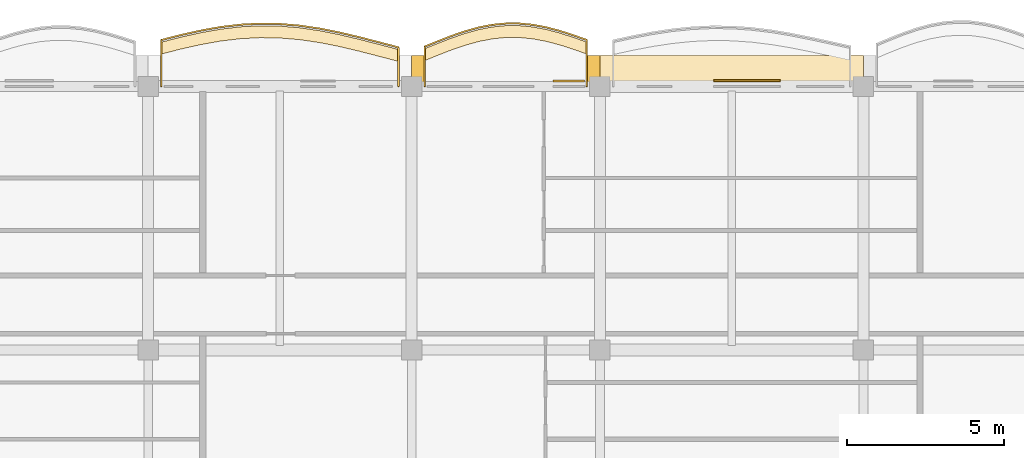
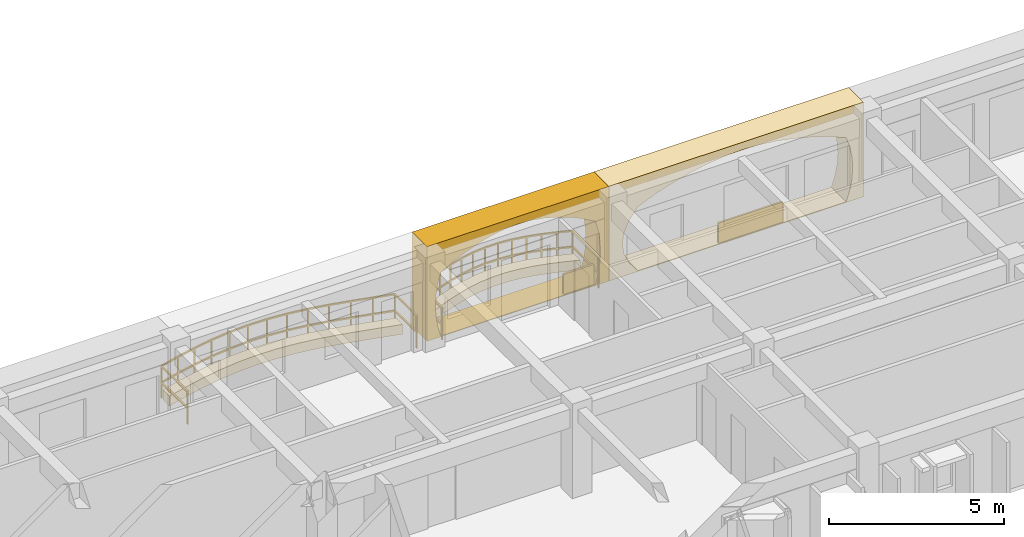
# One storey, part 63 of 76: 6 coverings, 2 railings.
"""IFC4 building model written with IfcOpenShell, lengths in metres."""

from ifc_helpers import new_model, si_unit, direction, frame, origin, origin_2d, place, context, subcontext, project, spatial, polyline, rectangle, outline, extrude, material, layer, layer_set, type_object, element, save


model = new_model("IFC4")

# Units and contexts
model_context = context("Model", 3, precision=1e-05, world=origin(), true_north=direction((0.0, 1.0)))
body_context = subcontext(model_context, "Body", "Model", "MODEL_VIEW")
ifc_project = project(units=[si_unit("LENGTHUNIT", "METRE"), si_unit("AREAUNIT", "SQUARE_METRE"), si_unit("VOLUMEUNIT", "CUBIC_METRE"), si_unit("PLANEANGLEUNIT", "RADIAN"), si_unit("MASSUNIT", "GRAM", prefix="KILO"), si_unit("THERMODYNAMICTEMPERATUREUNIT", "KELVIN")], contexts=[model_context])

# Site, building, storey
site_placement = place(None, origin())
site = spatial("IfcSite", under=ifc_project, at=site_placement, CompositionType="ELEMENT")
building_placement = place(site_placement, origin())
building = spatial("IfcBuilding", under=site, at=building_placement, Name="Thalorik Housing Commons", CompositionType="ELEMENT")
storey_placement = place(building_placement, frame((0.0, 0.0, 18.0)))
storey = spatial("IfcBuildingStorey", under=building, at=storey_placement, Name="L05", CompositionType="ELEMENT", Elevation=18.0)

# Coverings
ifc_material_1 = material(Name="Cobalt blue glazed ceramic facade tile panel", Category="masonry")
ifc_layer_1 = layer(ifc_material_1, 0.06005859375, Name="Cobalt blue glazed ceramic facade tile panel", Category="masonry")
ifc_layer_set_1 = layer_set([ifc_layer_1], Name="Cobalt blue glazed ceramic facade tile panel")
covering_type_1 = type_object("IfcCoveringType", Name="ARC-CLD-BLU-60", PredefinedType="CLADDING", material=ifc_layer_set_1)
covering_1_placement = place(storey_placement, frame((119.885009765625, 123.780029296875, 0.0498046875), z_axis=(0.0, 0.0, 1.0), x_axis=(-1.0, 0.0, 0.0)))
element("IfcCovering", 1, at=covering_1_placement, inside=storey, type_object=covering_type_1, Name="L05 De Stijl Recessed Window Spandrel 2217", PredefinedType="CLADDING", context=body_context, shape_type="SweptSolid", body=[
    extrude(rectangle(XDim=2.1201171875, YDim=0.06005859375, at=origin_2d()), origin(), (0.0, 0.0, 1.0), 0.699951171875),
])
ifc_material_2 = material(Name="Precast concrete C40/50", Category="concrete")
ifc_layer_2 = layer(ifc_material_2, 0.85009765625, Name="Precast concrete C40/50", Category="concrete")
ifc_layer_set_2 = layer_set([ifc_layer_2], Name="Precast concrete C40/50")
covering_type_2 = type_object("IfcCoveringType", Name="ARC-CLD-CUSH-850", PredefinedType="CLADDING", material=ifc_layer_set_2)
covering_2_placement = place(storey_placement, frame((119.39990234375, 124.169921875, 0.0), z_axis=(0.0, 0.0, 1.0), x_axis=(-1.0, 0.0, 0.0)))
element("IfcCovering", 2, at=covering_2_placement, inside=storey, type_object=covering_type_2, Name="L05 White Precast Curved Cushion Bay Frame 2216", PredefinedType="CLADDING", context=body_context, shape_type="SweptSolid", body=[
    extrude(outline(polyline([(-4.199951171875, 0.0), (4.199951171875, 0.0), (4.199951171875, 3.300048828125), (-4.199951171875, 3.300048828125), (-4.199951171875, 0.0)]), holes=[polyline([(3.239990234375, 0.02490234375), (3.523193359375, 0.3974609375), (3.693359375, 0.77001953125), (3.75, 1.142578125), (3.693359375, 1.514892578125), (3.523193359375, 1.887451171875), (3.239990234375, 2.260009765625), (2.66748046875, 2.497314453125), (2.094970703125, 2.683837890625), (1.5224609375, 2.8349609375), (0.949951171875, 2.947265625), (0.37744140625, 3.0166015625), (-0.195068359375, 3.0400390625), (-0.767578125, 3.0166015625), (-1.340087890625, 2.947265625), (-1.91259765625, 2.8349609375), (-2.485107421875, 2.683837890625), (-3.0576171875, 2.497314453125), (-3.6298828125, 2.260009765625), (-3.750244140625, 1.887451171875), (-3.822509765625, 1.514892578125), (-3.8466796875, 1.142578125), (-3.822509765625, 0.77001953125), (-3.750244140625, 0.3974609375), (-3.6298828125, 0.02490234375), (3.239990234375, 0.02490234375)])]), frame((0.0, 0.425048828125, 0.0), z_axis=(0.0, -1.0, 0.0), x_axis=(1.0, 0.0, 0.0)), (0.0, 0.0, 1.0), 0.85009765625),
])
covering_3_placement = place(storey_placement, frame((112.199951171875, 124.169921875, 0.0), z_axis=(0.0, 0.0, 1.0), x_axis=(-1.0, 0.0, 0.0)))
element("IfcCovering", 3, at=covering_3_placement, inside=storey, type_object=covering_type_2, Name="L05 White Precast Curved Cushion Bay Frame 2218", PredefinedType="CLADDING", context=body_context, shape_type="SweptSolid", body=[
    extrude(outline(polyline([(-3.0, 0.0), (3.0, 0.0), (3.0, 3.300048828125), (-3.0, 3.300048828125), (-3.0, 0.0)]), holes=[polyline([(2.548583984375, 0.02490234375), (2.643798828125, 0.394287109375), (2.701171875, 0.76318359375), (2.72021484375, 1.132568359375), (2.701171875, 1.501708984375), (2.643798828125, 1.870849609375), (2.548583984375, 2.239990234375), (2.122802734375, 2.4833984375), (1.697021484375, 2.6748046875), (1.27099609375, 2.82958984375), (0.84521484375, 2.94482421875), (0.41943359375, 3.01611328125), (-0.00634765625, 3.0400390625), (-0.43212890625, 3.01611328125), (-0.858154296875, 2.94482421875), (-1.283935546875, 2.82958984375), (-1.709716796875, 2.6748046875), (-2.135498046875, 2.4833984375), (-2.561279296875, 2.239990234375), (-2.654052734375, 1.870849609375), (-2.70947265625, 1.501708984375), (-2.72802734375, 1.132568359375), (-2.70947265625, 0.76318359375), (-2.654052734375, 0.394287109375), (-2.561279296875, 0.02490234375), (2.548583984375, 0.02490234375)])]), frame((0.0, 0.425048828125, 0.0), z_axis=(0.0, -1.0, 0.0), x_axis=(1.0, 0.0, 0.0)), (0.0, 0.0, 1.0), 0.85009765625),
])
ifc_material_3 = material(Name="Mineral ochre architectural terracotta panel", Category="masonry")
ifc_layer_3 = layer(ifc_material_3, 0.06494140625, Name="Mineral ochre architectural terracotta panel", Category="masonry")
ifc_layer_set_3 = layer_set([ifc_layer_3], Name="Mineral ochre architectural terracotta panel")
covering_type_3 = type_object("IfcCoveringType", Name="ARC-CLD-YEL-65", PredefinedType="CLADDING", material=ifc_layer_set_3)
covering_4_placement = place(storey_placement, frame((114.21142578125, 123.782470703125, 0.0498046875), z_axis=(0.0, 0.0, 1.0), x_axis=(-1.0, 0.0, 0.0)))
element("IfcCovering", 4, at=covering_4_placement, inside=storey, type_object=covering_type_3, Name="L05 De Stijl Recessed Window Spandrel 2219", PredefinedType="CLADDING", context=body_context, shape_type="SweptSolid", body=[
    extrude(rectangle(XDim=1.0, YDim=0.06494140625, at=origin_2d()), origin(), (0.0, 0.0, 1.0), 0.699951171875),
])
ifc_material_4 = material(Name="Planted vegetated substrate and terracotta trough", Category="masonry")
ifc_layer_4 = layer(ifc_material_4, 0.340087890625, Name="Planted vegetated substrate and terracotta trough", Category="masonry")
ifc_layer_set_4 = layer_set([ifc_layer_4], Name="Planted vegetated substrate and terracotta trough")
covering_type_4 = type_object("IfcCoveringType", Name="ARC-COV-PLANTER", PredefinedType="USERDEFINED", material=ifc_layer_set_4)
covering_5_placement = place(storey_placement, origin())
element("IfcCovering", 5, at=covering_5_placement, inside=storey, type_object=covering_type_4, Name="L05 Balcony Slab-Edge Planted Trough 5471", ObjectType="PLANTER", PredefinedType="USERDEFINED", context=body_context, shape_type="SweptSolid", body=[
    extrude(outline(polyline([(108.780029296875, 124.7802734375), (108.14990234375, 124.944580078125), (107.52001953125, 125.10693359375), (106.889892578125, 125.255615234375), (106.260009765625, 125.380615234375), (105.6298828125, 125.47314453125), (105.0, 125.526611328125), (104.3701171875, 125.537109375), (103.739990234375, 125.50390625), (103.110107421875, 125.428955078125), (102.47998046875, 125.317138671875), (101.85009765625, 125.176025390625), (101.219970703125, 125.015380859375), (101.219970703125, 124.635498046875), (101.85009765625, 124.796142578125), (102.47998046875, 124.937255859375), (103.110107421875, 125.048828125), (103.739990234375, 125.123779296875), (104.3701171875, 125.156982421875), (105.0, 125.146484375), (105.6298828125, 125.093017578125), (106.260009765625, 125.00048828125), (106.889892578125, 124.875732421875), (107.52001953125, 124.726806640625), (108.14990234375, 124.564697265625), (108.780029296875, 124.400146484375), (108.780029296875, 124.7802734375)])), origin(), (0.0, 0.0, 1.0), 0.340087890625),
])
covering_6_placement = place(storey_placement, origin())
element("IfcCovering", 6, at=covering_6_placement, inside=storey, type_object=covering_type_4, Name="L05 Balcony Slab-Edge Planted Trough 5472", ObjectType="PLANTER", PredefinedType="USERDEFINED", context=body_context, shape_type="SweptSolid", body=[
    extrude(outline(polyline([(114.780029296875, 125.01611328125), (114.35009765625, 125.168212890625), (113.919921875, 125.305908203125), (113.489990234375, 125.419189453125), (113.06005859375, 125.499755859375), (112.6298828125, 125.541748046875), (112.199951171875, 125.541748046875), (111.77001953125, 125.4990234375), (111.340087890625, 125.41552734375), (110.909912109375, 125.29638671875), (110.47998046875, 125.149169921875), (110.050048828125, 124.98291015625), (109.6201171875, 124.80859375), (109.6201171875, 124.428466796875), (110.050048828125, 124.602783203125), (110.47998046875, 124.76904296875), (110.909912109375, 124.91650390625), (111.340087890625, 125.035400390625), (111.77001953125, 125.118896484375), (112.199951171875, 125.161865234375), (112.6298828125, 125.161865234375), (113.06005859375, 125.119873046875), (113.489990234375, 125.0390625), (113.919921875, 124.92578125), (114.35009765625, 124.788330078125), (114.780029296875, 124.635986328125), (114.780029296875, 125.01611328125)])), origin(), (0.0, 0.0, 1.0), 0.340087890625),
])

# Railings
ifc_material_5 = material(Name="Steel S355", Category="steel")
railing_type_1 = type_object("IfcRailingType", Name="ARC-RL-BAL-112", PredefinedType="BALUSTRADE", material=ifc_material_5)
railing_1_placement = place(storey_placement, frame((114.780029296875, 123.60009765625, 0.0)))
element("IfcRailing", 7, at=railing_1_placement, inside=storey, type_object=railing_type_1, Name="L05 Cushion Balcony Guardrail 156", PredefinedType="BALUSTRADE", context=body_context, shape_type="SweptSolid", body=[
    extrude(rectangle(XDim=0.050048828125, YDim=0.050048828125, at=origin_2d()), frame((0.0, 0.0, 1.09521484375), z_axis=(0.0, 1.0, 0.0), x_axis=(-1.0, 0.0, 0.0)), (0.0, 0.0, 1.0), 1.48583984375),
    extrude(rectangle(XDim=0.050048828125, YDim=0.050048828125, at=origin_2d()), frame((0.0, 0.0, 0.53515625), z_axis=(0.0, 1.0, 0.0), x_axis=(-1.0, 0.0, 0.0)), (0.0, 0.0, 1.0), 1.48583984375),
    extrude(rectangle(XDim=0.050048828125, YDim=0.050048828125, at=origin_2d()), frame((0.0, 1.48583984375, 1.09521484375), z_axis=(-0.942574576093, 0.333995761205, 0.0), x_axis=(-0.333995761205, -0.942574576093, 0.0)), (0.0, 0.0, 1.0), 0.4560546875),
    extrude(rectangle(XDim=0.050048828125, YDim=0.050048828125, at=origin_2d()), frame((0.0, 1.48583984375, 0.53515625), z_axis=(-0.942574576093, 0.333995761205, 0.0), x_axis=(-0.333995761205, -0.942574576093, 0.0)), (0.0, 0.0, 1.0), 0.4560546875),
    extrude(rectangle(XDim=0.050048828125, YDim=0.050048828125, at=origin_2d()), frame((-0.429931640625, 1.63818359375, 1.09521484375), z_axis=(-0.952399039918, 0.304854176228, 0.0), x_axis=(-0.304854176228, -0.952399039918, 0.0)), (0.0, 0.0, 1.0), 0.45166015625),
    extrude(rectangle(XDim=0.050048828125, YDim=0.050048828125, at=origin_2d()), frame((-0.429931640625, 1.63818359375, 0.53515625), z_axis=(-0.952399039918, 0.304854176228, 0.0), x_axis=(-0.304854176228, -0.952399039918, 0.0)), (0.0, 0.0, 1.0), 0.45166015625),
    extrude(rectangle(XDim=0.050048828125, YDim=0.050048828125, at=origin_2d()), frame((-0.860107421875, 1.77587890625, 1.09521484375), z_axis=(-0.967131424423, 0.254277029817, 0.0), x_axis=(-0.254277029817, -0.967131424423, 0.0)), (0.0, 0.0, 1.0), 0.444580078125),
    extrude(rectangle(XDim=0.050048828125, YDim=0.050048828125, at=origin_2d()), frame((-0.860107421875, 1.77587890625, 0.53515625), z_axis=(-0.967131424423, 0.254277029817, 0.0), x_axis=(-0.254277029817, -0.967131424423, 0.0)), (0.0, 0.0, 1.0), 0.444580078125),
    extrude(rectangle(XDim=0.050048828125, YDim=0.050048828125, at=origin_2d()), frame((-1.2900390625, 1.888916015625, 1.09521484375), z_axis=(-0.982789955867, 0.184726561835, 0.0), x_axis=(-0.184726561835, -0.982789955867, 0.0)), (0.0, 0.0, 1.0), 0.4375),
    extrude(rectangle(XDim=0.050048828125, YDim=0.050048828125, at=origin_2d()), frame((-1.2900390625, 1.888916015625, 0.53515625), z_axis=(-0.982789955867, 0.184726561835, 0.0), x_axis=(-0.184726561835, -0.982789955867, 0.0)), (0.0, 0.0, 1.0), 0.4375),
    extrude(rectangle(XDim=0.050048828125, YDim=0.050048828125, at=origin_2d()), frame((-1.719970703125, 1.9697265625, 1.09521484375), z_axis=(-0.995269306776, 0.09715455208, 0.0), x_axis=(-0.09715455208, -0.995269306776, 0.0)), (0.0, 0.0, 1.0), 0.43212890625),
    extrude(rectangle(XDim=0.050048828125, YDim=0.050048828125, at=origin_2d()), frame((-1.719970703125, 1.9697265625, 0.53515625), z_axis=(-0.995269306776, 0.09715455208, 0.0), x_axis=(-0.09715455208, -0.995269306776, 0.0)), (0.0, 0.0, 1.0), 0.43212890625),
    extrude(rectangle(XDim=0.050048828125, YDim=0.050048828125, at=origin_2d()), frame((-2.150146484375, 2.01171875, 1.09521484375), z_axis=(-1.0, 0.0, 0.0), x_axis=(0.0, -1.0, 0.0)), (0.0, 0.0, 1.0), 0.429931640625),
    extrude(rectangle(XDim=0.050048828125, YDim=0.050048828125, at=origin_2d()), frame((-2.150146484375, 2.01171875, 0.53515625), z_axis=(-1.0, 0.0, 0.0), x_axis=(0.0, -1.0, 0.0)), (0.0, 0.0, 1.0), 0.429931640625),
    extrude(rectangle(XDim=0.050048828125, YDim=0.050048828125, at=origin_2d()), frame((-2.580078125, 2.01171875, 1.09521484375), z_axis=(-0.995098542801, -0.098888270863, 0.0), x_axis=(0.098888270863, -0.995098542801, 0.0)), (0.0, 0.0, 1.0), 0.43212890625),
    extrude(rectangle(XDim=0.050048828125, YDim=0.050048828125, at=origin_2d()), frame((-2.580078125, 2.01171875, 0.53515625), z_axis=(-0.995098542801, -0.098888270863, 0.0), x_axis=(0.098888270863, -0.995098542801, 0.0)), (0.0, 0.0, 1.0), 0.43212890625),
    extrude(rectangle(XDim=0.050048828125, YDim=0.050048828125, at=origin_2d()), frame((-3.010009765625, 1.968994140625, 1.09521484375), z_axis=(-0.981658882088, -0.190645847629, 0.0), x_axis=(0.190645847629, -0.981658882088, 0.0)), (0.0, 0.0, 1.0), 0.43798828125),
    extrude(rectangle(XDim=0.050048828125, YDim=0.050048828125, at=origin_2d()), frame((-3.010009765625, 1.968994140625, 0.53515625), z_axis=(-0.981658882088, -0.190645847629, 0.0), x_axis=(0.190645847629, -0.981658882088, 0.0)), (0.0, 0.0, 1.0), 0.43798828125),
    extrude(rectangle(XDim=0.050048828125, YDim=0.050048828125, at=origin_2d()), frame((-3.43994140625, 1.885498046875, 1.09521484375), z_axis=(-0.963721364475, -0.26691034385, 0.0), x_axis=(0.26691034385, -0.963721364475, 0.0)), (0.0, 0.0, 1.0), 0.4462890625),
    extrude(rectangle(XDim=0.050048828125, YDim=0.050048828125, at=origin_2d()), frame((-3.43994140625, 1.885498046875, 0.53515625), z_axis=(-0.963721364475, -0.26691034385, 0.0), x_axis=(0.26691034385, -0.963721364475, 0.0)), (0.0, 0.0, 1.0), 0.4462890625),
    extrude(rectangle(XDim=0.050048828125, YDim=0.050048828125, at=origin_2d()), frame((-3.8701171875, 1.766357421875, 1.09521484375), z_axis=(-0.945908272877, -0.324434183315, 0.0), x_axis=(0.324434183315, -0.945908272877, 0.0)), (0.0, 0.0, 1.0), 0.45458984375),
    extrude(rectangle(XDim=0.050048828125, YDim=0.050048828125, at=origin_2d()), frame((-3.8701171875, 1.766357421875, 0.53515625), z_axis=(-0.945908272877, -0.324434183315, 0.0), x_axis=(0.324434183315, -0.945908272877, 0.0)), (0.0, 0.0, 1.0), 0.45458984375),
    extrude(rectangle(XDim=0.050048828125, YDim=0.050048828125, at=origin_2d()), frame((-4.300048828125, 1.618896484375, 1.09521484375), z_axis=(-0.9328669237, -0.360221185756, 0.0), x_axis=(0.360221185756, -0.9328669237, 0.0)), (0.0, 0.0, 1.0), 0.4609375),
    extrude(rectangle(XDim=0.050048828125, YDim=0.050048828125, at=origin_2d()), frame((-4.300048828125, 1.618896484375, 0.53515625), z_axis=(-0.9328669237, -0.360221185756, 0.0), x_axis=(0.360221185756, -0.9328669237, 0.0)), (0.0, 0.0, 1.0), 0.4609375),
    extrude(rectangle(XDim=0.050048828125, YDim=0.050048828125, at=origin_2d()), frame((-4.72998046875, 1.452880859375, 1.09521484375), z_axis=(-0.926541092469, -0.376193572468, 0.0), x_axis=(0.376193572468, -0.926541092469, 0.0)), (0.0, 0.0, 1.0), 0.464111328125),
    extrude(rectangle(XDim=0.050048828125, YDim=0.050048828125, at=origin_2d()), frame((-4.72998046875, 1.452880859375, 0.53515625), z_axis=(-0.926541092469, -0.376193572468, 0.0), x_axis=(0.376193572468, -0.926541092469, 0.0)), (0.0, 0.0, 1.0), 0.464111328125),
    extrude(rectangle(XDim=0.050048828125, YDim=0.050048828125, at=origin_2d()), frame((-5.159912109375, 1.2783203125, 1.09521484375), z_axis=(0.0, -1.0, 0.0), x_axis=(1.0, 0.0, 0.0)), (0.0, 0.0, 1.0), 1.2783203125),
    extrude(rectangle(XDim=0.050048828125, YDim=0.050048828125, at=origin_2d()), frame((-5.159912109375, 1.2783203125, 0.53515625), z_axis=(0.0, -1.0, 0.0), x_axis=(1.0, 0.0, 0.0)), (0.0, 0.0, 1.0), 1.2783203125),
    extrude(rectangle(XDim=0.0419921875, YDim=0.0419921875, at=origin_2d()), origin(), (0.0, 0.0, 1.0), 1.070068359375),
    extrude(rectangle(XDim=0.0419921875, YDim=0.0419921875, at=origin_2d()), frame((0.0, 1.48583984375, 0.0)), (0.0, 0.0, 1.0), 1.070068359375),
    extrude(rectangle(XDim=0.0419921875, YDim=0.0419921875, at=origin_2d()), frame((-0.429931640625, 1.63818359375, 0.0)), (0.0, 0.0, 1.0), 1.070068359375),
    extrude(rectangle(XDim=0.0419921875, YDim=0.0419921875, at=origin_2d()), frame((-0.860107421875, 1.77587890625, 0.0)), (0.0, 0.0, 1.0), 1.070068359375),
    extrude(rectangle(XDim=0.0419921875, YDim=0.0419921875, at=origin_2d()), frame((-1.2900390625, 1.888916015625, 0.0)), (0.0, 0.0, 1.0), 1.070068359375),
    extrude(rectangle(XDim=0.0419921875, YDim=0.0419921875, at=origin_2d()), frame((-1.719970703125, 1.9697265625, 0.0)), (0.0, 0.0, 1.0), 1.070068359375),
    extrude(rectangle(XDim=0.0419921875, YDim=0.0419921875, at=origin_2d()), frame((-2.150146484375, 2.01171875, 0.0)), (0.0, 0.0, 1.0), 1.070068359375),
    extrude(rectangle(XDim=0.0419921875, YDim=0.0419921875, at=origin_2d()), frame((-2.580078125, 2.01171875, 0.0)), (0.0, 0.0, 1.0), 1.070068359375),
    extrude(rectangle(XDim=0.0419921875, YDim=0.0419921875, at=origin_2d()), frame((-3.010009765625, 1.968994140625, 0.0)), (0.0, 0.0, 1.0), 1.070068359375),
    extrude(rectangle(XDim=0.0419921875, YDim=0.0419921875, at=origin_2d()), frame((-3.43994140625, 1.885498046875, 0.0)), (0.0, 0.0, 1.0), 1.070068359375),
    extrude(rectangle(XDim=0.0419921875, YDim=0.0419921875, at=origin_2d()), frame((-3.8701171875, 1.766357421875, 0.0)), (0.0, 0.0, 1.0), 1.070068359375),
    extrude(rectangle(XDim=0.0419921875, YDim=0.0419921875, at=origin_2d()), frame((-4.300048828125, 1.618896484375, 0.0)), (0.0, 0.0, 1.0), 1.070068359375),
    extrude(rectangle(XDim=0.0419921875, YDim=0.0419921875, at=origin_2d()), frame((-4.72998046875, 1.452880859375, 0.0)), (0.0, 0.0, 1.0), 1.070068359375),
    extrude(rectangle(XDim=0.0419921875, YDim=0.0419921875, at=origin_2d()), frame((-5.159912109375, 1.2783203125, 0.0)), (0.0, 0.0, 1.0), 1.070068359375),
    extrude(rectangle(XDim=0.0419921875, YDim=0.0419921875, at=origin_2d()), frame((-5.159912109375, 0.0, 0.0)), (0.0, 0.0, 1.0), 1.070068359375),
])
railing_type_2 = type_object("IfcRailingType", Name="ARC-RL-BAL-115", PredefinedType="BALUSTRADE", material=ifc_material_5)
railing_2_placement = place(storey_placement, frame((108.780029296875, 123.60009765625, 0.0)))
element("IfcRailing", 8, at=railing_2_placement, inside=storey, type_object=railing_type_2, Name="L05 Cushion Balcony Guardrail 155", PredefinedType="BALUSTRADE", context=body_context, shape_type="SweptSolid", body=[
    extrude(rectangle(XDim=0.050048828125, YDim=0.050048828125, at=origin_2d()), frame((0.0, 0.0, 1.125), z_axis=(0.0, 1.0, 0.0), x_axis=(-1.0, 0.0, 0.0)), (0.0, 0.0, 1.0), 1.25),
    extrude(rectangle(XDim=0.050048828125, YDim=0.050048828125, at=origin_2d()), frame((0.0, 0.0, 0.5498046875), z_axis=(0.0, 1.0, 0.0), x_axis=(-1.0, 0.0, 0.0)), (0.0, 0.0, 1.0), 1.25),
    extrude(rectangle(XDim=0.050048828125, YDim=0.050048828125, at=origin_2d()), frame((0.0, 1.25, 1.125), z_axis=(-0.967553545938, 0.252666055778, 0.0), x_axis=(-0.252666055778, -0.967553545938, 0.0)), (0.0, 0.0, 1.0), 0.6513671875),
    extrude(rectangle(XDim=0.050048828125, YDim=0.050048828125, at=origin_2d()), frame((0.0, 1.25, 0.5498046875), z_axis=(-0.967553545938, 0.252666055778, 0.0), x_axis=(-0.252666055778, -0.967553545938, 0.0)), (0.0, 0.0, 1.0), 0.6513671875),
    extrude(rectangle(XDim=0.050048828125, YDim=0.050048828125, at=origin_2d()), frame((-0.630126953125, 1.41455078125, 1.125), z_axis=(-0.968350517178, 0.249594222451, 0.0), x_axis=(-0.249594222451, -0.968350517178, 0.0)), (0.0, 0.0, 1.0), 0.650390625),
    extrude(rectangle(XDim=0.050048828125, YDim=0.050048828125, at=origin_2d()), frame((-0.630126953125, 1.41455078125, 0.5498046875), z_axis=(-0.968350517178, 0.249594222451, 0.0), x_axis=(-0.249594222451, -0.968350517178, 0.0)), (0.0, 0.0, 1.0), 0.650390625),
    extrude(rectangle(XDim=0.050048828125, YDim=0.050048828125, at=origin_2d()), frame((-1.260009765625, 1.576904296875, 1.125), z_axis=(-0.973273559033, 0.2296488173, 0.0), x_axis=(-0.2296488173, -0.973273559033, 0.0)), (0.0, 0.0, 1.0), 0.6474609375),
    extrude(rectangle(XDim=0.050048828125, YDim=0.050048828125, at=origin_2d()), frame((-1.260009765625, 1.576904296875, 0.5498046875), z_axis=(-0.973273559033, 0.2296488173, 0.0), x_axis=(-0.2296488173, -0.973273559033, 0.0)), (0.0, 0.0, 1.0), 0.6474609375),
    extrude(rectangle(XDim=0.050048828125, YDim=0.050048828125, at=origin_2d()), frame((-1.89013671875, 1.7255859375, 1.125), z_axis=(-0.980872033872, 0.194653674939, 0.0), x_axis=(-0.194653674939, -0.980872033872, 0.0)), (0.0, 0.0, 1.0), 0.64208984375),
    extrude(rectangle(XDim=0.050048828125, YDim=0.050048828125, at=origin_2d()), frame((-1.89013671875, 1.7255859375, 0.5498046875), z_axis=(-0.980872033872, 0.194653674939, 0.0), x_axis=(-0.194653674939, -0.980872033872, 0.0)), (0.0, 0.0, 1.0), 0.64208984375),
    extrude(rectangle(XDim=0.050048828125, YDim=0.050048828125, at=origin_2d()), frame((-2.52001953125, 1.8505859375, 1.125), z_axis=(-0.989389948801, 0.145284304764, 0.0), x_axis=(-0.145284304764, -0.989389948801, 0.0)), (0.0, 0.0, 1.0), 0.636962890625),
    extrude(rectangle(XDim=0.050048828125, YDim=0.050048828125, at=origin_2d()), frame((-2.52001953125, 1.8505859375, 0.5498046875), z_axis=(-0.989389948801, 0.145284304764, 0.0), x_axis=(-0.145284304764, -0.989389948801, 0.0)), (0.0, 0.0, 1.0), 0.636962890625),
    extrude(rectangle(XDim=0.050048828125, YDim=0.050048828125, at=origin_2d()), frame((-3.150146484375, 1.943115234375, 1.125), z_axis=(-0.99644920467, 0.084196095588, 0.0), x_axis=(-0.084196095588, -0.99644920467, 0.0)), (0.0, 0.0, 1.0), 0.632080078125),
    extrude(rectangle(XDim=0.050048828125, YDim=0.050048828125, at=origin_2d()), frame((-3.150146484375, 1.943115234375, 0.5498046875), z_axis=(-0.99644920467, 0.084196095588, 0.0), x_axis=(-0.084196095588, -0.99644920467, 0.0)), (0.0, 0.0, 1.0), 0.632080078125),
    extrude(rectangle(XDim=0.050048828125, YDim=0.050048828125, at=origin_2d()), frame((-3.780029296875, 1.996337890625, 1.125), z_axis=(-0.999854607762, 0.017051784008, 0.0), x_axis=(-0.017051784008, -0.999854607762, 0.0)), (0.0, 0.0, 1.0), 0.6298828125),
    extrude(rectangle(XDim=0.050048828125, YDim=0.050048828125, at=origin_2d()), frame((-3.780029296875, 1.996337890625, 0.5498046875), z_axis=(-0.999854607762, 0.017051784008, 0.0), x_axis=(-0.017051784008, -0.999854607762, 0.0)), (0.0, 0.0, 1.0), 0.6298828125),
    extrude(rectangle(XDim=0.050048828125, YDim=0.050048828125, at=origin_2d()), frame((-4.409912109375, 2.007080078125, 1.125), z_axis=(-0.998614621038, -0.052619755312, 0.0), x_axis=(0.052619755312, -0.998614621038, 0.0)), (0.0, 0.0, 1.0), 0.631103515625),
    extrude(rectangle(XDim=0.050048828125, YDim=0.050048828125, at=origin_2d()), frame((-4.409912109375, 2.007080078125, 0.5498046875), z_axis=(-0.998614621038, -0.052619755312, 0.0), x_axis=(0.052619755312, -0.998614621038, 0.0)), (0.0, 0.0, 1.0), 0.631103515625),
    extrude(rectangle(XDim=0.050048828125, YDim=0.050048828125, at=origin_2d()), frame((-5.0400390625, 1.973876953125, 1.125), z_axis=(-0.992949497864, -0.118538157109, 0.0), x_axis=(0.118538157109, -0.992949497864, 0.0)), (0.0, 0.0, 1.0), 0.63427734375),
    extrude(rectangle(XDim=0.050048828125, YDim=0.050048828125, at=origin_2d()), frame((-5.0400390625, 1.973876953125, 0.5498046875), z_axis=(-0.992949497864, -0.118538157109, 0.0), x_axis=(0.118538157109, -0.992949497864, 0.0)), (0.0, 0.0, 1.0), 0.63427734375),
    extrude(rectangle(XDim=0.050048828125, YDim=0.050048828125, at=origin_2d()), frame((-5.669921875, 1.898681640625, 1.125), z_axis=(-0.984683537287, -0.174351172623, 0.0), x_axis=(0.174351172623, -0.984683537287, 0.0)), (0.0, 0.0, 1.0), 0.639892578125),
    extrude(rectangle(XDim=0.050048828125, YDim=0.050048828125, at=origin_2d()), frame((-5.669921875, 1.898681640625, 0.5498046875), z_axis=(-0.984683537287, -0.174351172623, 0.0), x_axis=(0.174351172623, -0.984683537287, 0.0)), (0.0, 0.0, 1.0), 0.639892578125),
    extrude(rectangle(XDim=0.050048828125, YDim=0.050048828125, at=origin_2d()), frame((-6.300048828125, 1.787109375, 1.125), z_axis=(-0.975811839183, -0.218612109708, 0.0), x_axis=(0.218612109708, -0.975811839183, 0.0)), (0.0, 0.0, 1.0), 0.6455078125),
    extrude(rectangle(XDim=0.050048828125, YDim=0.050048828125, at=origin_2d()), frame((-6.300048828125, 1.787109375, 0.5498046875), z_axis=(-0.975811839183, -0.218612109708, 0.0), x_axis=(0.218612109708, -0.975811839183, 0.0)), (0.0, 0.0, 1.0), 0.6455078125),
    extrude(rectangle(XDim=0.050048828125, YDim=0.050048828125, at=origin_2d()), frame((-6.929931640625, 1.64599609375, 1.125), z_axis=(-0.969005724791, -0.247038266917, 0.0), x_axis=(0.247038266917, -0.969005724791, 0.0)), (0.0, 0.0, 1.0), 0.650390625),
    extrude(rectangle(XDim=0.050048828125, YDim=0.050048828125, at=origin_2d()), frame((-6.929931640625, 1.64599609375, 0.5498046875), z_axis=(-0.969005724791, -0.247038266917, 0.0), x_axis=(0.247038266917, -0.969005724791, 0.0)), (0.0, 0.0, 1.0), 0.650390625),
    extrude(rectangle(XDim=0.050048828125, YDim=0.050048828125, at=origin_2d()), frame((-7.56005859375, 1.4853515625, 1.125), z_axis=(0.0, -1.0, 0.0), x_axis=(1.0, 0.0, 0.0)), (0.0, 0.0, 1.0), 1.4853515625),
    extrude(rectangle(XDim=0.050048828125, YDim=0.050048828125, at=origin_2d()), frame((-7.56005859375, 1.4853515625, 0.5498046875), z_axis=(0.0, -1.0, 0.0), x_axis=(1.0, 0.0, 0.0)), (0.0, 0.0, 1.0), 1.4853515625),
    extrude(rectangle(XDim=0.0419921875, YDim=0.0419921875, at=origin_2d()), origin(), (0.0, 0.0, 1.0), 1.099853515625),
    extrude(rectangle(XDim=0.0419921875, YDim=0.0419921875, at=origin_2d()), frame((0.0, 1.25, 0.0)), (0.0, 0.0, 1.0), 1.099853515625),
    extrude(rectangle(XDim=0.0419921875, YDim=0.0419921875, at=origin_2d()), frame((-0.630126953125, 1.41455078125, 0.0)), (0.0, 0.0, 1.0), 1.099853515625),
    extrude(rectangle(XDim=0.0419921875, YDim=0.0419921875, at=origin_2d()), frame((-1.260009765625, 1.576904296875, 0.0)), (0.0, 0.0, 1.0), 1.099853515625),
    extrude(rectangle(XDim=0.0419921875, YDim=0.0419921875, at=origin_2d()), frame((-1.89013671875, 1.7255859375, 0.0)), (0.0, 0.0, 1.0), 1.099853515625),
    extrude(rectangle(XDim=0.0419921875, YDim=0.0419921875, at=origin_2d()), frame((-2.52001953125, 1.8505859375, 0.0)), (0.0, 0.0, 1.0), 1.099853515625),
    extrude(rectangle(XDim=0.0419921875, YDim=0.0419921875, at=origin_2d()), frame((-3.150146484375, 1.943115234375, 0.0)), (0.0, 0.0, 1.0), 1.099853515625),
    extrude(rectangle(XDim=0.0419921875, YDim=0.0419921875, at=origin_2d()), frame((-3.780029296875, 1.996337890625, 0.0)), (0.0, 0.0, 1.0), 1.099853515625),
    extrude(rectangle(XDim=0.0419921875, YDim=0.0419921875, at=origin_2d()), frame((-4.409912109375, 2.007080078125, 0.0)), (0.0, 0.0, 1.0), 1.099853515625),
    extrude(rectangle(XDim=0.0419921875, YDim=0.0419921875, at=origin_2d()), frame((-5.0400390625, 1.973876953125, 0.0)), (0.0, 0.0, 1.0), 1.099853515625),
    extrude(rectangle(XDim=0.0419921875, YDim=0.0419921875, at=origin_2d()), frame((-5.669921875, 1.898681640625, 0.0)), (0.0, 0.0, 1.0), 1.099853515625),
    extrude(rectangle(XDim=0.0419921875, YDim=0.0419921875, at=origin_2d()), frame((-6.300048828125, 1.787109375, 0.0)), (0.0, 0.0, 1.0), 1.099853515625),
    extrude(rectangle(XDim=0.0419921875, YDim=0.0419921875, at=origin_2d()), frame((-6.929931640625, 1.64599609375, 0.0)), (0.0, 0.0, 1.0), 1.099853515625),
    extrude(rectangle(XDim=0.0419921875, YDim=0.0419921875, at=origin_2d()), frame((-7.56005859375, 1.4853515625, 0.0)), (0.0, 0.0, 1.0), 1.099853515625),
    extrude(rectangle(XDim=0.0419921875, YDim=0.0419921875, at=origin_2d()), frame((-7.56005859375, 0.0, 0.0)), (0.0, 0.0, 1.0), 1.099853515625),
])

save(model, "model.ifc")
